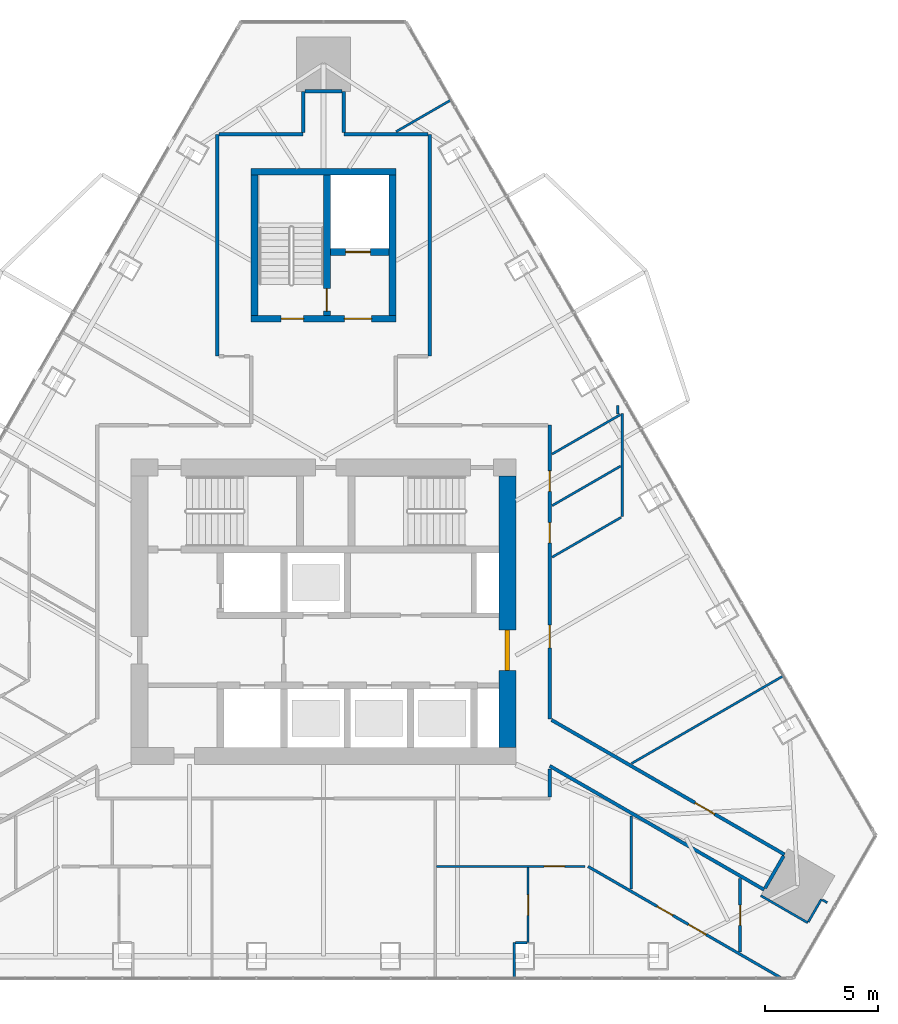
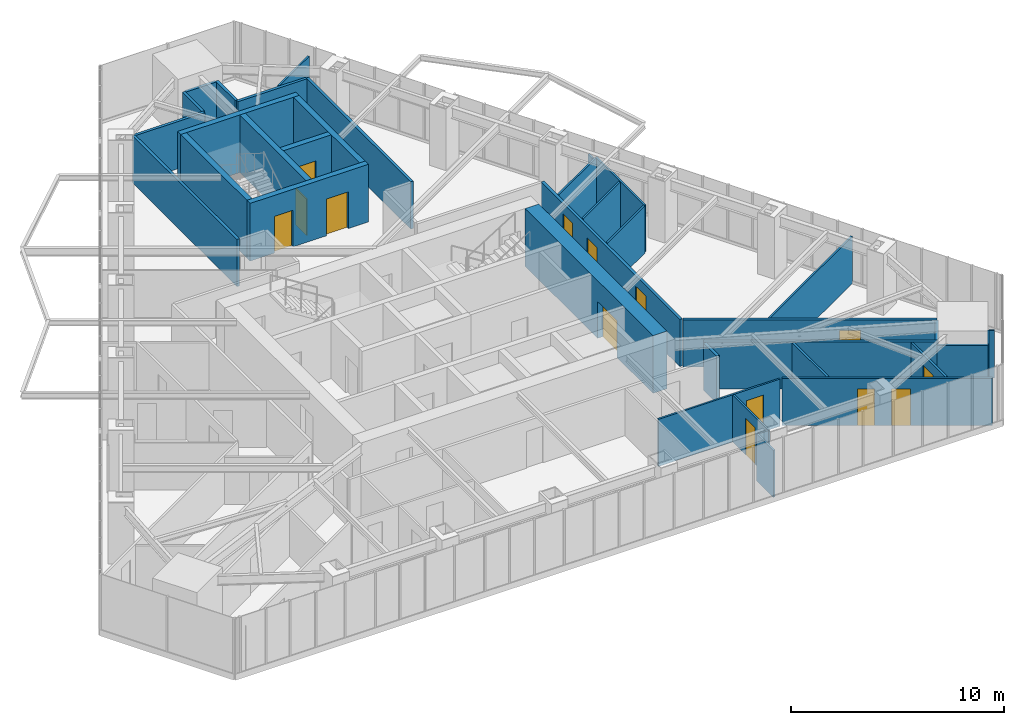
# One storey, part 16 of 19: 36 walls, 14 doors, 14 openings.
"""IFC4 building model written with IfcOpenShell, lengths in metres."""

from ifc_helpers import new_model, si_unit, direction, frame, frame_2d, origin, place, context, subcontext, project, spatial, rectangle, extrude, material, layer, layer_set, type_object, element, fill, save


model = new_model("IFC4")

# Units and contexts
model_context = context("Model", 3, precision=1e-05, world=origin(), true_north=direction((0.0, 1.0)))
body_context = subcontext(model_context, "Body", "Model", "MODEL_VIEW")
ifc_project = project(units=[si_unit("LENGTHUNIT", "METRE"), si_unit("AREAUNIT", "SQUARE_METRE"), si_unit("VOLUMEUNIT", "CUBIC_METRE"), si_unit("PLANEANGLEUNIT", "RADIAN"), si_unit("MASSUNIT", "GRAM", prefix="KILO")], contexts=[model_context])

# Site, building, storey
site_placement = place(None, origin())
site = spatial("IfcSite", under=ifc_project, at=site_placement, CompositionType="ELEMENT")
building_placement = place(site_placement, origin())
building = spatial("IfcBuilding", under=site, at=building_placement, Name="Firuza Gate Tower and Library", CompositionType="ELEMENT")
storey_placement = place(building_placement, frame((0.0, 0.0, 316.10009765625)))
storey = spatial("IfcBuildingStorey", under=building, at=storey_placement, Name="L77", CompositionType="ELEMENT", Elevation=316.10009765625)

# Wall, openings, doors
ifc_material_1 = material(Name="Concrete C60/75", Category="concrete")
ifc_layer_1 = layer(ifc_material_1, 0.300048828125)
ifc_layer_set_1 = layer_set([ifc_layer_1], Name="Core wall 300 C60/75")
wall_type_1 = type_object("IfcWallType", Name="Core wall 300 C60/75", PredefinedType="SHEAR", material=ifc_layer_set_1)
wall_1_placement = place(storey_placement, frame((71.800048828125, 87.949951171875, 0.0), z_axis=(0.0, 0.0, 1.0), x_axis=(1.0, 0.0, 0.0)))
wall_1 = element("IfcWall", 1, at=wall_1_placement, inside=storey, type_object=wall_type_1, Name="Core wall L77 18", PredefinedType="SHEAR", context=body_context, shape_type="SweptSolid", body=[
    extrude(rectangle(XDim=6.39990234375, YDim=0.300048828125, at=frame_2d((3.199951171875, 0.0))), origin(), (0.0, 0.0, 1.0), 3.2998046875),
])
opening_1_placement = place(wall_1_placement, frame((1.324951171875, 0.0, 0.0)))
opening_1 = element("IfcOpeningElement", 2, at=opening_1_placement, cuts=wall_1, Name="Opening L77-K11", PredefinedType="OPENING", context=body_context, shape_type="SweptSolid", body=[
    extrude(rectangle(XDim=1.0, YDim=2.10009765625, at=frame_2d((0.5, 1.050048828125))), frame((0.0, 0.16015625, 0.0), z_axis=(0.0, -1.0, 0.0), x_axis=(1.0, 0.0, 0.0)), (0.0, 0.0, 1.0), 0.320068359375),
])
opening_2_placement = place(wall_1_placement, frame((4.125, 0.0, 0.0)))
opening_2 = element("IfcOpeningElement", 3, at=opening_2_placement, cuts=wall_1, Name="Opening L77-K13", PredefinedType="OPENING", context=body_context, shape_type="SweptSolid", body=[
    extrude(rectangle(XDim=1.199951171875, YDim=2.10009765625, at=frame_2d((0.60009765625, 1.050048828125))), frame((0.0, 0.16015625, 0.0), z_axis=(0.0, -1.0, 0.0), x_axis=(1.0, 0.0, 0.0)), (0.0, 0.0, 1.0), 0.320068359375),
])
ifc_material_2 = material(Name="Steel", Category="steel")
door_type_1 = type_object("IfcDoorType", Name="Fire door 1000x2100 FD90", OperationType="NOTDEFINED", PredefinedType="DOOR", material=ifc_material_2)
door_1_placement = place(opening_1_placement, origin())
door_1 = element("IfcDoor", 4, at=door_1_placement, inside=storey, type_object=door_type_1, Name="Door L77-K11", OperationType="SINGLE_SWING_RIGHT", OverallHeight=2.10009765625, OverallWidth=1.0, PredefinedType="DOOR", context=body_context, shape_type="SweptSolid", body=[
    extrude(rectangle(XDim=1.0, YDim=2.10009765625, at=frame_2d((0.5, 1.050048828125))), frame((0.0, 0.02490234375, 0.0), z_axis=(0.0, -1.0, 0.0), x_axis=(1.0, 0.0, 0.0)), (0.0, 0.0, 1.0), 0.050048828125),
])
fill(opening_1, door_1)
ifc_material_3 = material(Name="Steel", Category="steel")
door_type_2 = type_object("IfcDoorType", Name="Fire door 1200x2100 FD30S", OperationType="NOTDEFINED", PredefinedType="DOOR", material=ifc_material_3)
door_2_placement = place(opening_2_placement, origin())
door_2 = element("IfcDoor", 5, at=door_2_placement, inside=storey, type_object=door_type_2, Name="Door L77-K13", OperationType="SINGLE_SWING_RIGHT", OverallHeight=2.10009765625, OverallWidth=1.199951171875, PredefinedType="DOOR", context=body_context, shape_type="SweptSolid", body=[
    extrude(rectangle(XDim=1.199951171875, YDim=2.10009765625, at=frame_2d((0.60009765625, 1.050048828125))), frame((0.0, 0.02490234375, 0.0), z_axis=(0.0, -1.0, 0.0), x_axis=(1.0, 0.0, 0.0)), (0.0, 0.0, 1.0), 0.050048828125),
])
fill(opening_2, door_2)

# Walls
wall_2_placement = place(storey_placement, frame((71.800048828125, 94.449951171875, 0.0), z_axis=(0.0, 0.0, 1.0), x_axis=(1.0, 0.0, 0.0)))
element("IfcWall", 6, at=wall_2_placement, inside=storey, type_object=wall_type_1, Name="Core wall L77 19", PredefinedType="SHEAR", context=body_context, shape_type="SweptSolid", body=[
    extrude(rectangle(XDim=6.39990234375, YDim=0.300048828125, at=frame_2d((3.199951171875, 0.0))), origin(), (0.0, 0.0, 1.0), 3.2998046875),
])
for number, where, z_axis, x_axis, name in (
    (7, (71.949951171875, 88.10009765625, 0.0), (0.0, 0.0, 1.0), (0.0, 1.0, 0.0), "Core wall L77 20"),
    (8, (78.050048828125, 88.10009765625, 0.0), (0.0, 0.0, 1.0), (0.0, 1.0, 0.0), "Core wall L77 21"),
):
    element("IfcWall", number, at=place(storey_placement, frame(where, z_axis=z_axis, x_axis=x_axis)), inside=storey, type_object=wall_type_1, Name=name, PredefinedType="SHEAR", context=body_context, shape_type="SweptSolid", body=[
        extrude(rectangle(XDim=6.199951171875, YDim=0.300048828125, at=frame_2d((3.10009765625, 0.0))), origin(), (0.0, 0.0, 1.0), 3.2998046875),
    ])

# Wall, opening, door
wall_3_placement = place(storey_placement, frame((75.300048828125, 90.89990234375, 0.0), z_axis=(0.0, 0.0, 1.0), x_axis=(1.0, 0.0, 0.0)))
wall_3 = element("IfcWall", 9, at=wall_3_placement, inside=storey, type_object=wall_type_1, Name="Core wall L77 22", PredefinedType="SHEAR", context=body_context, shape_type="SweptSolid", body=[
    extrude(rectangle(XDim=2.599853515625, YDim=0.300048828125, at=frame_2d((1.2998046875, 0.0))), origin(), (0.0, 0.0, 1.0), 3.2998046875),
])
opening_3_placement = place(wall_3_placement, frame((0.675048828125, 0.0, 0.0)))
opening_3 = element("IfcOpeningElement", 10, at=opening_3_placement, cuts=wall_3, Name="Opening LD-SV1-L77", PredefinedType="OPENING", context=body_context, shape_type="SweptSolid", body=[
    extrude(rectangle(XDim=1.10009765625, YDim=2.10009765625, at=frame_2d((0.550048828125, 1.050048828125))), frame((0.0, 0.16015625, 0.0), z_axis=(0.0, -1.0, 0.0), x_axis=(1.0, 0.0, 0.0)), (0.0, 0.0, 1.0), 0.320068359375),
])
ifc_material_4 = material(Name="Stainless steel", Category="steel")
door_type_3 = type_object("IfcDoorType", Name="Lift landing door 1100x2100", OperationType="DOUBLE_DOOR_SLIDING", PredefinedType="DOOR", material=ifc_material_4)
door_3_placement = place(opening_3_placement, origin())
door_3 = element("IfcDoor", 11, at=door_3_placement, inside=storey, type_object=door_type_3, Name="Landing door SV1 L77", OperationType="DOUBLE_DOOR_SLIDING", OverallHeight=2.10009765625, OverallWidth=1.10009765625, PredefinedType="DOOR", context=body_context, shape_type="SweptSolid", body=[
    extrude(rectangle(XDim=1.10009765625, YDim=2.10009765625, at=frame_2d((0.550048828125, 1.050048828125))), frame((0.0, 0.02490234375, 0.0), z_axis=(0.0, -1.0, 0.0), x_axis=(1.0, 0.0, 0.0)), (0.0, 0.0, 1.0), 0.050048828125),
])
fill(opening_3, door_3)

wall_4_placement = place(storey_placement, frame((75.14990234375, 88.10009765625, 0.0), z_axis=(0.0, 0.0, 1.0), x_axis=(0.0, 1.0, 0.0)))
wall_4 = element("IfcWall", 12, at=wall_4_placement, inside=storey, type_object=wall_type_1, Name="Core wall L77 23", PredefinedType="SHEAR", context=body_context, shape_type="SweptSolid", body=[
    extrude(rectangle(XDim=6.199951171875, YDim=0.300048828125, at=frame_2d((3.10009765625, 0.0))), origin(), (0.0, 0.0, 1.0), 3.2998046875),
])
opening_4_placement = place(wall_4_placement, frame((0.18505859375, 0.0, 0.0)))
opening_4 = element("IfcOpeningElement", 13, at=opening_4_placement, cuts=wall_4, Name="Opening L77-K12", PredefinedType="OPENING", context=body_context, shape_type="SweptSolid", body=[
    extrude(rectangle(XDim=1.0, YDim=2.10009765625, at=frame_2d((0.5, 1.050048828125))), frame((0.0, 0.16015625, 0.0), z_axis=(0.0, -1.0, 0.0), x_axis=(1.0, 0.0, 0.0)), (0.0, 0.0, 1.0), 0.320068359375),
])
door_4_placement = place(opening_4_placement, origin())
door_4 = element("IfcDoor", 14, at=door_4_placement, inside=storey, type_object=door_type_1, Name="Door L77-K12", OperationType="SINGLE_SWING_LEFT", OverallHeight=2.10009765625, OverallWidth=1.0, PredefinedType="DOOR", context=body_context, shape_type="SweptSolid", body=[
    extrude(rectangle(XDim=1.0, YDim=2.10009765625, at=frame_2d((0.5, 1.050048828125))), frame((0.0, 0.02490234375, 0.0), z_axis=(0.0, -1.0, 0.0), x_axis=(1.0, 0.0, 0.0)), (0.0, 0.0, 1.0), 0.050048828125),
])
fill(opening_4, door_4)

ifc_material_5 = material(Name="Concrete C60/75", Category="concrete")
ifc_layer_2 = layer(ifc_material_5, 0.75)
ifc_layer_set_2 = layer_set([ifc_layer_2], Name="Core wall 750 C60/75")
wall_type_2 = type_object("IfcWallType", Name="Core wall 750 C60/75", PredefinedType="SHEAR", material=ifc_layer_set_2)
wall_5_placement = place(storey_placement, frame((83.125, 69.0, 0.0), z_axis=(0.0, 0.0, 1.0), x_axis=(0.0, 1.0, 0.0)))
wall_5 = element("IfcWall", 15, at=wall_5_placement, inside=storey, type_object=wall_type_2, Name="Core wall L77 4", PredefinedType="SHEAR", context=body_context, shape_type="SweptSolid", body=[
    extrude(rectangle(XDim=12.0, YDim=0.75, at=frame_2d((6.0, 0.0))), origin(), (0.0, 0.0, 1.0), 3.2998046875),
])
opening_5_placement = place(wall_5_placement, frame((3.39990234375, 0.0, 0.0)))
opening_5 = element("IfcOpeningElement", 16, at=opening_5_placement, cuts=wall_5, Name="Opening L77-K16", PredefinedType="OPENING", context=body_context, shape_type="SweptSolid", body=[
    extrude(rectangle(XDim=1.800048828125, YDim=2.10009765625, at=frame_2d((0.89990234375, 1.050048828125))), frame((0.0, 0.385009765625, 0.0), z_axis=(0.0, -1.0, 0.0), x_axis=(1.0, 0.0, 0.0)), (0.0, 0.0, 1.0), 0.77001953125),
])
ifc_material_6 = material(Name="Steel", Category="steel")
door_type_4 = type_object("IfcDoorType", Name="Fire door 1800x2100 FD30S", OperationType="NOTDEFINED", PredefinedType="DOOR", material=ifc_material_6)
door_5_placement = place(opening_5_placement, origin())
door_5 = element("IfcDoor", 17, at=door_5_placement, inside=storey, type_object=door_type_4, Name="Door L77-K16", OperationType="SINGLE_SWING_LEFT", OverallHeight=2.10009765625, OverallWidth=1.800048828125, PredefinedType="DOOR", context=body_context, shape_type="SweptSolid", body=[
    extrude(rectangle(XDim=1.800048828125, YDim=2.10009765625, at=frame_2d((0.89990234375, 1.050048828125))), frame((0.0, 0.094970703125, 0.0), z_axis=(0.0, -1.0, 0.0), x_axis=(1.0, 0.0, 0.0)), (0.0, 0.0, 1.0), 0.18994140625),
])
fill(opening_5, door_5)

# Walls
ifc_material_7 = material(Name="Gypsum board partition")
ifc_layer_3 = layer(ifc_material_7, 0.14990234375)
ifc_layer_set_3 = layer_set([ifc_layer_3], Name="Corridor wall 150 double board on steel studs")
wall_type_3 = type_object("IfcWallType", Name="Corridor wall 150 double board on steel studs", PredefinedType="PARTITIONING", material=ifc_layer_set_3)
wall_6_placement = place(storey_placement, frame((70.37548828125, 96.10009765625, 0.0), z_axis=(0.0, 0.0, 1.0), x_axis=(1.0, 0.0, 0.0)))
element("IfcWall", 18, at=wall_6_placement, inside=storey, type_object=wall_type_3, Name="f:L77:w009", PredefinedType="PARTITIONING", context=body_context, shape_type="SweptSolid", body=[
    extrude(rectangle(XDim=3.724609375, YDim=0.14990234375, at=frame_2d((1.8623046875, 0.0))), origin(), (0.0, 0.0, 1.0), 2.699951171875),
])
wall_7_placement = place(storey_placement, frame((75.89990234375, 96.10009765625, 0.0), z_axis=(0.0, 0.0, 1.0), x_axis=(1.0, 0.0, 0.0)))
element("IfcWall", 19, at=wall_7_placement, inside=storey, type_object=wall_type_3, Name="f:L77:w010", PredefinedType="PARTITIONING", context=body_context, shape_type="SweptSolid", body=[
    extrude(rectangle(XDim=3.72314453125, YDim=0.14990234375, at=frame_2d((1.861572265625, 0.0))), origin(), (0.0, 0.0, 1.0), 2.699951171875),
])
wall_8_placement = place(storey_placement, frame((74.175537109375, 98.00390625, 0.0), z_axis=(0.0, 0.0, 1.0), x_axis=(1.0, 0.0, 0.0)))
element("IfcWall", 20, at=wall_8_placement, inside=storey, type_object=wall_type_3, Name="f:L77:w011", PredefinedType="PARTITIONING", context=body_context, shape_type="SweptSolid", body=[
    extrude(rectangle(XDim=1.64892578125, YDim=0.14990234375, at=frame_2d((0.824462890625, 0.0))), origin(), (0.0, 0.0, 1.0), 2.697021484375),
])
wall_9_placement = place(storey_placement, frame((94.512451171875, 62.788330078125, 0.0), z_axis=(0.0, 0.0, 1.0), x_axis=(0.500052415518, 0.865995139556, 0.0)))
element("IfcWall", 21, at=wall_9_placement, inside=storey, type_object=wall_type_3, Name="f:L77:w023", PredefinedType="PARTITIONING", context=body_context, shape_type="SweptSolid", body=[
    extrude(rectangle(XDim=1.643798828125, YDim=0.14990234375, at=frame_2d((0.82177734375, 0.0))), origin(), (0.0, 0.0, 1.0), 2.697021484375),
])
wall_10_placement = place(storey_placement, frame((85.0, 66.824951171875, 0.0), z_axis=(0.0, 0.0, 1.0), x_axis=(0.0, 1.0, 0.0)))
element("IfcWall", 22, at=wall_10_placement, inside=storey, type_object=wall_type_3, Name="f:L77:w030", PredefinedType="PARTITIONING", context=body_context, shape_type="SweptSolid", body=[
    extrude(rectangle(XDim=1.225830078125, YDim=0.14990234375, at=frame_2d((0.61279296875, 0.0))), origin(), (0.0, 0.0, 1.0), 2.697021484375),
])

# Wall, openings, doors
wall_11_placement = place(storey_placement, frame((85.0, 83.248046875, 0.0), z_axis=(0.0, 0.0, 1.0), x_axis=(0.0, -1.0, 0.0)))
wall_11 = element("IfcWall", 23, at=wall_11_placement, inside=storey, type_object=wall_type_3, Name="f:L77:w031", PredefinedType="PARTITIONING", context=body_context, shape_type="SweptSolid", body=[
    extrude(rectangle(XDim=12.982421875, YDim=0.14990234375, at=frame_2d((6.4912109375, 0.0))), origin(), (0.0, 0.0, 1.0), 2.699951171875),
])
opening_6_placement = place(wall_11_placement, frame((2.024169921875, 0.0, 0.0)))
opening_6 = element("IfcOpeningElement", 24, at=opening_6_placement, cuts=wall_11, Name="Opening L77-15", PredefinedType="OPENING", context=body_context, shape_type="SweptSolid", body=[
    extrude(rectangle(XDim=0.89990234375, YDim=2.10009765625, at=frame_2d((0.449951171875, 1.050048828125))), frame((0.0, 0.0849609375, 0.0), z_axis=(0.0, -1.0, 0.0), x_axis=(1.0, 0.0, 0.0)), (0.0, 0.0, 1.0), 0.169921875),
])
opening_7_placement = place(wall_11_placement, frame((4.302734375, 0.0, 0.0)))
opening_7 = element("IfcOpeningElement", 25, at=opening_7_placement, cuts=wall_11, Name="Opening L77-16", PredefinedType="OPENING", context=body_context, shape_type="SweptSolid", body=[
    extrude(rectangle(XDim=0.89990234375, YDim=2.10009765625, at=frame_2d((0.449951171875, 1.050048828125))), frame((0.0, 0.0849609375, 0.0), z_axis=(0.0, -1.0, 0.0), x_axis=(1.0, 0.0, 0.0)), (0.0, 0.0, 1.0), 0.169921875),
])
opening_8_placement = place(wall_11_placement, frame((8.835693359375, 0.0, 0.0)))
opening_8 = element("IfcOpeningElement", 26, at=opening_8_placement, cuts=wall_11, Name="Opening L77-17", PredefinedType="OPENING", context=body_context, shape_type="SweptSolid", body=[
    extrude(rectangle(XDim=1.0, YDim=2.10009765625, at=frame_2d((0.5, 1.050048828125))), frame((0.0, 0.0849609375, 0.0), z_axis=(0.0, -1.0, 0.0), x_axis=(1.0, 0.0, 0.0)), (0.0, 0.0, 1.0), 0.169921875),
])
ifc_material_8 = material(Name="Steel door and timber leaf", Category="steel")
door_type_5 = type_object("IfcDoorType", Name="Fire door 1000 x 2100 steel frame, timber leaf", OperationType="NOTDEFINED", PredefinedType="DOOR", material=ifc_material_8)
door_6_placement = place(opening_8_placement, origin())
door_6 = element("IfcDoor", 27, at=door_6_placement, inside=storey, type_object=door_type_5, Name="f:L77:d017", OperationType="SINGLE_SWING_RIGHT", OverallHeight=2.10009765625, OverallWidth=1.0, PredefinedType="DOOR", context=body_context, shape_type="SweptSolid", body=[
    extrude(rectangle(XDim=1.0, YDim=2.10009765625, at=frame_2d((0.5, 1.050048828125))), frame((0.0, 0.02490234375, 0.0), z_axis=(0.0, -1.0, 0.0), x_axis=(1.0, 0.0, 0.0)), (0.0, 0.0, 1.0), 0.050048828125),
])
fill(opening_8, door_6)
ifc_material_9 = material(Name="Steel door and timber leaf", Category="steel")
door_type_6 = type_object("IfcDoorType", Name="Fire door 900 x 2100 steel frame, timber leaf", OperationType="NOTDEFINED", PredefinedType="DOOR", material=ifc_material_9)
door_7_placement = place(opening_6_placement, origin())
door_7 = element("IfcDoor", 28, at=door_7_placement, inside=storey, type_object=door_type_6, Name="f:L77:d015", OperationType="SINGLE_SWING_RIGHT", OverallHeight=2.10009765625, OverallWidth=0.89990234375, PredefinedType="DOOR", context=body_context, shape_type="SweptSolid", body=[
    extrude(rectangle(XDim=0.89990234375, YDim=2.10009765625, at=frame_2d((0.449951171875, 1.050048828125))), frame((0.0, 0.02490234375, 0.0), z_axis=(0.0, -1.0, 0.0), x_axis=(1.0, 0.0, 0.0)), (0.0, 0.0, 1.0), 0.050048828125),
])
fill(opening_6, door_7)
door_8_placement = place(opening_7_placement, origin())
door_8 = element("IfcDoor", 29, at=door_8_placement, inside=storey, type_object=door_type_6, Name="f:L77:d016", OperationType="SINGLE_SWING_LEFT", OverallHeight=2.10009765625, OverallWidth=0.89990234375, PredefinedType="DOOR", context=body_context, shape_type="SweptSolid", body=[
    extrude(rectangle(XDim=0.89990234375, YDim=2.10009765625, at=frame_2d((0.449951171875, 1.050048828125))), frame((0.0, 0.02490234375, 0.0), z_axis=(0.0, -1.0, 0.0), x_axis=(1.0, 0.0, 0.0)), (0.0, 0.0, 1.0), 0.050048828125),
])
fill(opening_7, door_8)

# Walls
wall_12_placement = place(storey_placement, frame((79.699951171875, 86.302001953125, 0.0), z_axis=(0.0, 0.0, 1.0), x_axis=(0.0, 1.0, 0.0)))
element("IfcWall", 30, at=wall_12_placement, inside=storey, type_object=wall_type_3, Name="f:L77:w035", PredefinedType="PARTITIONING", context=body_context, shape_type="SweptSolid", body=[
    extrude(rectangle(XDim=9.7958984375, YDim=0.14990234375, at=frame_2d((4.89794921875, 0.0))), origin(), (0.0, 0.0, 1.0), 2.699951171875),
])
for number, where, z_axis, x_axis, name in (
    (31, (75.89990234375, 96.175048828125, 0.0), (0.0, 0.0, 1.0), (0.0, 1.0, 0.0), "f:L77:w037"),
    (32, (74.10009765625, 96.175048828125, 0.0), (0.0, 0.0, 1.0), (0.0, 1.0, 0.0), "f:L77:w038"),
):
    element("IfcWall", number, at=place(storey_placement, frame(where, z_axis=z_axis, x_axis=x_axis)), inside=storey, type_object=wall_type_3, Name=name, PredefinedType="PARTITIONING", context=body_context, shape_type="SweptSolid", body=[
        extrude(rectangle(XDim=1.828369140625, YDim=0.14990234375, at=frame_2d((0.9140625, 0.0))), origin(), (0.0, 0.0, 1.0), 2.699951171875),
    ])
wall_13_placement = place(storey_placement, frame((70.300048828125, 86.300537109375, 0.0), z_axis=(0.0, 0.0, 1.0), x_axis=(0.0, 1.0, 0.0)))
element("IfcWall", 33, at=wall_13_placement, inside=storey, type_object=wall_type_3, Name="f:L77:w040", PredefinedType="PARTITIONING", context=body_context, shape_type="SweptSolid", body=[
    extrude(rectangle(XDim=9.798828125, YDim=0.14990234375, at=frame_2d((4.8994140625, 0.0))), origin(), (0.0, 0.0, 1.0), 2.699951171875),
])

# Wall, opening, door
wall_14_placement = place(storey_placement, frame((85.074951171875, 70.222412109375, 0.0), z_axis=(0.0, 0.0, 1.0), x_axis=(0.866032051089, -0.499988486354, 0.0)))
wall_14 = element("IfcWall", 34, at=wall_14_placement, inside=storey, type_object=wall_type_3, Name="f:L77:w052", PredefinedType="PARTITIONING", context=body_context, shape_type="SweptSolid", body=[
    extrude(rectangle(XDim=11.889404296875, YDim=0.14990234375, at=frame_2d((5.94482421875, 0.0))), origin(), (0.0, 0.0, 1.0), 2.699951171875),
])
opening_9_placement = place(wall_14_placement, frame((7.326416015625, 0.0, 0.0)))
opening_9 = element("IfcOpeningElement", 35, at=opening_9_placement, cuts=wall_14, Name="Opening L77-22", PredefinedType="OPENING", context=body_context, shape_type="SweptSolid", body=[
    extrude(rectangle(XDim=1.0, YDim=2.10009765625, at=frame_2d((0.5, 1.050048828125))), frame((0.0, 0.0849609375, 0.0), z_axis=(0.0, -1.0, 0.0), x_axis=(1.0, 0.0, 0.0)), (0.0, 0.0, 1.0), 0.169921875),
])
door_9_placement = place(opening_9_placement, origin())
door_9 = element("IfcDoor", 36, at=door_9_placement, inside=storey, type_object=door_type_5, Name="f:L77:d022", OperationType="SINGLE_SWING_LEFT", OverallHeight=2.10009765625, OverallWidth=1.0, PredefinedType="DOOR", context=body_context, shape_type="SweptSolid", body=[
    extrude(rectangle(XDim=1.0, YDim=2.10009765625, at=frame_2d((0.5, 1.050048828125))), frame((0.0, 0.02490234375, 0.0), z_axis=(0.0, -1.0, 0.0), x_axis=(1.0, 0.0, 0.0)), (0.0, 0.0, 1.0), 0.050048828125),
])
fill(opening_9, door_9)

# Walls
wall_15_placement = place(storey_placement, frame((94.471923828125, 62.71875, 0.0), z_axis=(0.0, 0.0, 1.0), x_axis=(-0.866029834468, 0.499992325753, 0.0)))
element("IfcWall", 37, at=wall_15_placement, inside=storey, type_object=wall_type_3, Name="f:L77:w054", PredefinedType="PARTITIONING", context=body_context, shape_type="SweptSolid", body=[
    extrude(rectangle(XDim=10.937255859375, YDim=0.14990234375, at=frame_2d((5.46875, 0.0))), origin(), (0.0, 0.0, 1.0), 2.697021484375),
])
ifc_material_10 = material(Name="Gypsum board partition")
ifc_layer_4 = layer(ifc_material_10, 0.10009765625)
ifc_layer_set_4 = layer_set([ifc_layer_4], Name="Partition 100 gypsum board on steel studs")
wall_type_4 = type_object("IfcWallType", Name="Partition 100 gypsum board on steel studs", PredefinedType="PARTITIONING", material=ifc_layer_set_4)
wall_16_placement = place(storey_placement, frame((83.48046875, 60.3798828125, 0.0), z_axis=(0.0, 0.0, 1.0), x_axis=(1.0, 0.0, 0.0)))
element("IfcWall", 38, at=wall_16_placement, inside=storey, type_object=wall_type_4, Name="f:L77:w001", PredefinedType="PARTITIONING", context=body_context, shape_type="SweptSolid", body=[
    extrude(rectangle(XDim=0.509033203125, YDim=0.10009765625, at=frame_2d((0.25439453125, 0.0))), origin(), (0.0, 0.0, 1.0), 2.699951171875),
])

# Wall, opening, door
wall_17_placement = place(storey_placement, frame((86.565673828125, 63.75, 0.0), z_axis=(0.0, 0.0, 1.0), x_axis=(-1.0, 0.0, 0.0)))
wall_17 = element("IfcWall", 39, at=wall_17_placement, inside=storey, type_object=wall_type_4, Name="f:L77:w003", PredefinedType="PARTITIONING", context=body_context, shape_type="SweptSolid", body=[
    extrude(rectangle(XDim=6.582275390625, YDim=0.10009765625, at=frame_2d((3.291015625, 0.0))), origin(), (0.0, 0.0, 1.0), 2.699951171875),
])
opening_10_placement = place(wall_17_placement, frame((0.91259765625, 0.0, 0.0)))
opening_10 = element("IfcOpeningElement", 40, at=opening_10_placement, cuts=wall_17, Name="Opening L77-03", PredefinedType="OPENING", context=body_context, shape_type="SweptSolid", body=[
    extrude(rectangle(XDim=0.89990234375, YDim=2.10009765625, at=frame_2d((0.449951171875, 1.050048828125))), frame((0.0, 0.06005859375, 0.0), z_axis=(0.0, -1.0, 0.0), x_axis=(1.0, 0.0, 0.0)), (0.0, 0.0, 1.0), 0.1201171875),
])
ifc_material_11 = material(Name="Timber door", Category="wood")
door_type_7 = type_object("IfcDoorType", Name="Door 900 x 2100 timber leaf", OperationType="NOTDEFINED", PredefinedType="DOOR", material=ifc_material_11)
door_10_placement = place(opening_10_placement, origin())
door_10 = element("IfcDoor", 41, at=door_10_placement, inside=storey, type_object=door_type_7, Name="f:L77:d003", OperationType="SINGLE_SWING_RIGHT", OverallHeight=2.10009765625, OverallWidth=0.89990234375, PredefinedType="DOOR", context=body_context, shape_type="SweptSolid", body=[
    extrude(rectangle(XDim=0.89990234375, YDim=2.10009765625, at=frame_2d((0.449951171875, 1.050048828125))), frame((0.0, 0.02490234375, 0.0), z_axis=(0.0, -1.0, 0.0), x_axis=(1.0, 0.0, 0.0)), (0.0, 0.0, 1.0), 0.050048828125),
])
fill(opening_10, door_10)

# Walls
wall_18_placement = place(storey_placement, frame((88.611083984375, 68.297607421875, 0.0), z_axis=(0.0, 0.0, 1.0), x_axis=(0.866026493871, 0.499998111909, 0.0)))
element("IfcWall", 42, at=wall_18_placement, inside=storey, type_object=wall_type_4, Name="f:L77:w012", PredefinedType="PARTITIONING", context=body_context, shape_type="SweptSolid", body=[
    extrude(rectangle(XDim=7.7431640625, YDim=0.10009765625, at=frame_2d((3.87158203125, 0.0))), origin(), (0.0, 0.0, 1.0), 2.68798828125),
])
wall_19_placement = place(storey_placement, frame((85.100830078125, 77.4140625, 0.0), z_axis=(0.0, 0.0, 1.0), x_axis=(0.866041242935, 0.499972564782, 0.0)))
element("IfcWall", 43, at=wall_19_placement, inside=storey, type_object=wall_type_4, Name="f:L77:w014", PredefinedType="PARTITIONING", context=body_context, shape_type="SweptSolid", body=[
    extrude(rectangle(XDim=3.520751953125, YDim=0.10009765625, at=frame_2d((1.76025390625, 0.0))), origin(), (0.0, 0.0, 1.0), 2.699951171875),
])
wall_20_placement = place(storey_placement, frame((85.10107421875, 79.6923828125, 0.0), z_axis=(0.0, 0.0, 1.0), x_axis=(0.866017863565, 0.500013059815, 0.0)))
element("IfcWall", 44, at=wall_20_placement, inside=storey, type_object=wall_type_4, Name="f:L77:w015", PredefinedType="PARTITIONING", context=body_context, shape_type="SweptSolid", body=[
    extrude(rectangle(XDim=3.49072265625, YDim=0.10009765625, at=frame_2d((1.745361328125, 0.0))), origin(), (0.0, 0.0, 1.0), 2.699951171875),
])
wall_21_placement = place(storey_placement, frame((85.100830078125, 81.971435546875, 0.0), z_axis=(0.0, 0.0, 1.0), x_axis=(0.866017863565, 0.500013059815, 0.0)))
element("IfcWall", 45, at=wall_21_placement, inside=storey, type_object=wall_type_4, Name="f:L77:w018", PredefinedType="PARTITIONING", context=body_context, shape_type="SweptSolid", body=[
    extrude(rectangle(XDim=3.49072265625, YDim=0.10009765625, at=frame_2d((1.745361328125, 0.0))), origin(), (0.0, 0.0, 1.0), 2.68798828125),
])
wall_22_placement = place(storey_placement, frame((78.20751953125, 96.2197265625, 0.0), z_axis=(0.0, 0.0, 1.0), x_axis=(0.866028321769, 0.499994945868, 0.0)))
element("IfcWall", 46, at=wall_22_placement, inside=storey, type_object=wall_type_4, Name="f:L77:w021", PredefinedType="PARTITIONING", context=body_context, shape_type="SweptSolid", body=[
    extrude(rectangle(XDim=2.7919921875, YDim=0.10009765625, at=frame_2d((1.39599609375, 0.0))), origin(), (0.0, 0.0, 1.0), 2.699951171875),
])
wall_23_placement = place(storey_placement, frame((96.42578125, 61.302490234375, 0.0), z_axis=(0.0, 0.0, 1.0), x_axis=(0.499955427682, 0.866051136095, 0.0)))
element("IfcWall", 47, at=wall_23_placement, inside=storey, type_object=wall_type_4, Name="f:L77:w022", PredefinedType="PARTITIONING", context=body_context, shape_type="SweptSolid", body=[
    extrude(rectangle(XDim=1.14892578125, YDim=0.10009765625, at=frame_2d((0.574462890625, 0.0))), origin(), (0.0, 0.0, 1.0), 2.699951171875),
])
wall_24_placement = place(storey_placement, frame((88.199951171875, 79.203125, 0.0), z_axis=(0.0, 0.0, 1.0), x_axis=(0.0, 1.0, 0.0)))
element("IfcWall", 48, at=wall_24_placement, inside=storey, type_object=wall_type_4, Name="f:L77:w028", PredefinedType="PARTITIONING", context=body_context, shape_type="SweptSolid", body=[
    extrude(rectangle(XDim=4.55712890625, YDim=0.10009765625, at=frame_2d((2.278564453125, 0.0))), origin(), (0.0, 0.0, 1.0), 2.68798828125),
])
wall_25_placement = place(storey_placement, frame((88.0, 83.732666015625, 0.0), z_axis=(0.0, 0.0, 1.0), x_axis=(0.0, 1.0, 0.0)))
element("IfcWall", 49, at=wall_25_placement, inside=storey, type_object=wall_type_4, Name="f:L77:w029", PredefinedType="PARTITIONING", context=body_context, shape_type="SweptSolid", body=[
    extrude(rectangle(XDim=0.389892578125, YDim=0.10009765625, at=frame_2d((0.19482421875, 0.0))), origin(), (0.0, 0.0, 1.0), 2.699951171875),
])

# Wall, opening, door
wall_26_placement = place(storey_placement, frame((84.0400390625, 60.380859375, 0.0), z_axis=(0.0, 0.0, 1.0), x_axis=(0.0, 1.0, 0.0)))
wall_26 = element("IfcWall", 50, at=wall_26_placement, inside=storey, type_object=wall_type_4, Name="f:L77:w032", PredefinedType="PARTITIONING", context=body_context, shape_type="SweptSolid", body=[
    extrude(rectangle(XDim=3.319091796875, YDim=0.10009765625, at=frame_2d((1.65966796875, 0.0))), origin(), (0.0, 0.0, 1.0), 2.699951171875),
])
opening_11_placement = place(wall_26_placement, frame((1.20947265625, 0.0, 0.0)))
opening_11 = element("IfcOpeningElement", 51, at=opening_11_placement, cuts=wall_26, Name="Opening L77-18", PredefinedType="OPENING", context=body_context, shape_type="SweptSolid", body=[
    extrude(rectangle(XDim=0.89990234375, YDim=2.10009765625, at=frame_2d((0.449951171875, 1.050048828125))), frame((0.0, 0.06005859375, 0.0), z_axis=(0.0, -1.0, 0.0), x_axis=(1.0, 0.0, 0.0)), (0.0, 0.0, 1.0), 0.1201171875),
])
door_11_placement = place(opening_11_placement, origin())
door_11 = element("IfcDoor", 52, at=door_11_placement, inside=storey, type_object=door_type_7, Name="f:L77:d018", OperationType="SINGLE_SWING_LEFT", OverallHeight=2.10009765625, OverallWidth=0.89990234375, PredefinedType="DOOR", context=body_context, shape_type="SweptSolid", body=[
    extrude(rectangle(XDim=0.89990234375, YDim=2.10009765625, at=frame_2d((0.449951171875, 1.050048828125))), frame((0.0, 0.02490234375, 0.0), z_axis=(0.0, -1.0, 0.0), x_axis=(1.0, 0.0, 0.0)), (0.0, 0.0, 1.0), 0.050048828125),
])
fill(opening_11, door_11)

# Walls
wall_27_placement = place(storey_placement, frame((83.429931640625, 58.8203125, 0.0), z_axis=(0.0, 0.0, 1.0), x_axis=(0.0, 1.0, 0.0)))
element("IfcWall", 53, at=wall_27_placement, inside=storey, type_object=wall_type_4, Name="f:L77:w033", PredefinedType="PARTITIONING", context=body_context, shape_type="SweptSolid", body=[
    extrude(rectangle(XDim=1.5595703125, YDim=0.10009765625, at=frame_2d((0.77978515625, 0.0))), origin(), (0.0, 0.0, 1.0), 2.68798828125),
])
wall_28_placement = place(storey_placement, frame((97.26025390625, 62.148193359375, 0.0), z_axis=(0.0, 0.0, 1.0), x_axis=(-0.866006330792, 0.500033033937, 0.0)))
element("IfcWall", 54, at=wall_28_placement, inside=storey, type_object=wall_type_4, Name="f:L77:w053", PredefinedType="PARTITIONING", context=body_context, shape_type="SweptSolid", body=[
    extrude(rectangle(XDim=0.24951171875, YDim=0.10009765625, at=frame_2d((0.124755859375, 0.0))), origin(), (0.0, 0.0, 1.0), 2.699951171875),
])
wall_29_placement = place(storey_placement, frame((96.39990234375, 61.25927734375, 0.0), z_axis=(0.0, 0.0, 1.0), x_axis=(-0.866011011868, 0.500024926702, 0.0)))
element("IfcWall", 55, at=wall_29_placement, inside=storey, type_object=wall_type_4, Name="f:L77:w056", PredefinedType="PARTITIONING", context=body_context, shape_type="SweptSolid", body=[
    extrude(rectangle(XDim=2.39892578125, YDim=0.10009765625, at=frame_2d((1.199462890625, 0.0))), origin(), (0.0, 0.0, 1.0), 2.699951171875),
])

# Wall, opening, door
ifc_material_12 = material(Name="Gypsum board partition")
ifc_layer_5 = layer(ifc_material_12, 0.1201171875)
ifc_layer_set_5 = layer_set([ifc_layer_5], Name="Wet-area partition 120 moisture-resistant board")
wall_type_5 = type_object("IfcWallType", Name="Wet-area partition 120 moisture-resistant board", PredefinedType="PARTITIONING", material=ifc_layer_set_5)
wall_30_placement = place(storey_placement, frame((93.407958984375, 59.978271484375, 0.0), z_axis=(0.0, 0.0, 1.0), x_axis=(0.0, 1.0, 0.0)))
wall_30 = element("IfcWall", 56, at=wall_30_placement, inside=storey, type_object=wall_type_5, Name="f:L77:w026", PredefinedType="PARTITIONING", context=body_context, shape_type="SweptSolid", body=[
    extrude(rectangle(XDim=3.22802734375, YDim=0.1201171875, at=frame_2d((1.614013671875, 0.0))), origin(), (0.0, 0.0, 1.0), 2.699951171875),
])
opening_12_placement = place(wall_30_placement, frame((1.1640625, 0.0, 0.0)))
opening_12 = element("IfcOpeningElement", 57, at=opening_12_placement, cuts=wall_30, Name="Opening L77-14", PredefinedType="OPENING", context=body_context, shape_type="SweptSolid", body=[
    extrude(rectangle(XDim=0.89990234375, YDim=2.10009765625, at=frame_2d((0.449951171875, 1.050048828125))), frame((0.0, 0.070068359375, 0.0), z_axis=(0.0, -1.0, 0.0), x_axis=(1.0, 0.0, 0.0)), (0.0, 0.0, 1.0), 0.14013671875),
])
door_12_placement = place(opening_12_placement, origin())
door_12 = element("IfcDoor", 58, at=door_12_placement, inside=storey, type_object=door_type_7, Name="f:L77:d014", OperationType="SINGLE_SWING_LEFT", OverallHeight=2.10009765625, OverallWidth=0.89990234375, PredefinedType="DOOR", context=body_context, shape_type="SweptSolid", body=[
    extrude(rectangle(XDim=0.89990234375, YDim=2.10009765625, at=frame_2d((0.449951171875, 1.050048828125))), frame((0.0, 0.02490234375, 0.0), z_axis=(0.0, -1.0, 0.0), x_axis=(1.0, 0.0, 0.0)), (0.0, 0.0, 1.0), 0.050048828125),
])
fill(opening_12, door_12)

# Wall
wall_31_placement = place(storey_placement, frame((88.596923828125, 62.755859375, 0.0), z_axis=(0.0, 0.0, 1.0), x_axis=(0.0, 1.0, 0.0)))
element("IfcWall", 59, at=wall_31_placement, inside=storey, type_object=wall_type_5, Name="f:L77:w027", PredefinedType="PARTITIONING", context=body_context, shape_type="SweptSolid", body=[
    extrude(rectangle(XDim=3.228271484375, YDim=0.1201171875, at=frame_2d((1.6142578125, 0.0))), origin(), (0.0, 0.0, 1.0), 2.697021484375),
])

# Wall, openings, doors
wall_32_placement = place(storey_placement, frame((86.685546875, 63.75, 0.0), z_axis=(0.0, 0.0, 1.0), x_axis=(0.866028066272, -0.499995388408, 0.0)))
wall_32 = element("IfcWall", 60, at=wall_32_placement, inside=storey, type_object=wall_type_5, Name="f:L77:w057", PredefinedType="PARTITIONING", context=body_context, shape_type="SweptSolid", body=[
    extrude(rectangle(XDim=9.859375, YDim=0.1201171875, at=frame_2d((4.9296875, 0.0))), origin(), (0.0, 0.0, 1.0), 2.699951171875),
])
opening_13_placement = place(wall_32_placement, frame((3.534423828125, 0.0, 0.0)))
opening_13 = element("IfcOpeningElement", 61, at=opening_13_placement, cuts=wall_32, Name="Opening L77-23", PredefinedType="OPENING", context=body_context, shape_type="SweptSolid", body=[
    extrude(rectangle(XDim=0.800048828125, YDim=2.10009765625, at=frame_2d((0.39990234375, 1.050048828125))), frame((0.0, 0.070068359375, 0.0), z_axis=(0.0, -1.0, 0.0), x_axis=(1.0, 0.0, 0.0)), (0.0, 0.0, 1.0), 0.14013671875),
])
opening_14_placement = place(wall_32_placement, frame((5.134521484375, 0.0, 0.0)))
opening_14 = element("IfcOpeningElement", 62, at=opening_14_placement, cuts=wall_32, Name="Opening L77-24", PredefinedType="OPENING", context=body_context, shape_type="SweptSolid", body=[
    extrude(rectangle(XDim=0.89990234375, YDim=2.10009765625, at=frame_2d((0.449951171875, 1.050048828125))), frame((0.0, 0.070068359375, 0.0), z_axis=(0.0, -1.0, 0.0), x_axis=(1.0, 0.0, 0.0)), (0.0, 0.0, 1.0), 0.14013671875),
])
ifc_material_13 = material(Name="Timber door", Category="wood")
door_type_8 = type_object("IfcDoorType", Name="Door 800 x 2100 timber leaf", OperationType="NOTDEFINED", PredefinedType="DOOR", material=ifc_material_13)
door_13_placement = place(opening_13_placement, origin())
door_13 = element("IfcDoor", 63, at=door_13_placement, inside=storey, type_object=door_type_8, Name="f:L77:d023", OperationType="SINGLE_SWING_RIGHT", OverallHeight=2.10009765625, OverallWidth=0.800048828125, PredefinedType="DOOR", context=body_context, shape_type="SweptSolid", body=[
    extrude(rectangle(XDim=0.800048828125, YDim=2.10009765625, at=frame_2d((0.39990234375, 1.050048828125))), frame((0.0, 0.02490234375, 0.0), z_axis=(0.0, -1.0, 0.0), x_axis=(1.0, 0.0, 0.0)), (0.0, 0.0, 1.0), 0.050048828125),
])
fill(opening_13, door_13)
door_14_placement = place(opening_14_placement, origin())
door_14 = element("IfcDoor", 64, at=door_14_placement, inside=storey, type_object=door_type_7, Name="f:L77:d024", OperationType="SINGLE_SWING_LEFT", OverallHeight=2.10009765625, OverallWidth=0.89990234375, PredefinedType="DOOR", context=body_context, shape_type="SweptSolid", body=[
    extrude(rectangle(XDim=0.89990234375, YDim=2.10009765625, at=frame_2d((0.449951171875, 1.050048828125))), frame((0.0, 0.02490234375, 0.0), z_axis=(0.0, -1.0, 0.0), x_axis=(1.0, 0.0, 0.0)), (0.0, 0.0, 1.0), 0.050048828125),
])
fill(opening_14, door_14)

save(model, "model.ifc")
